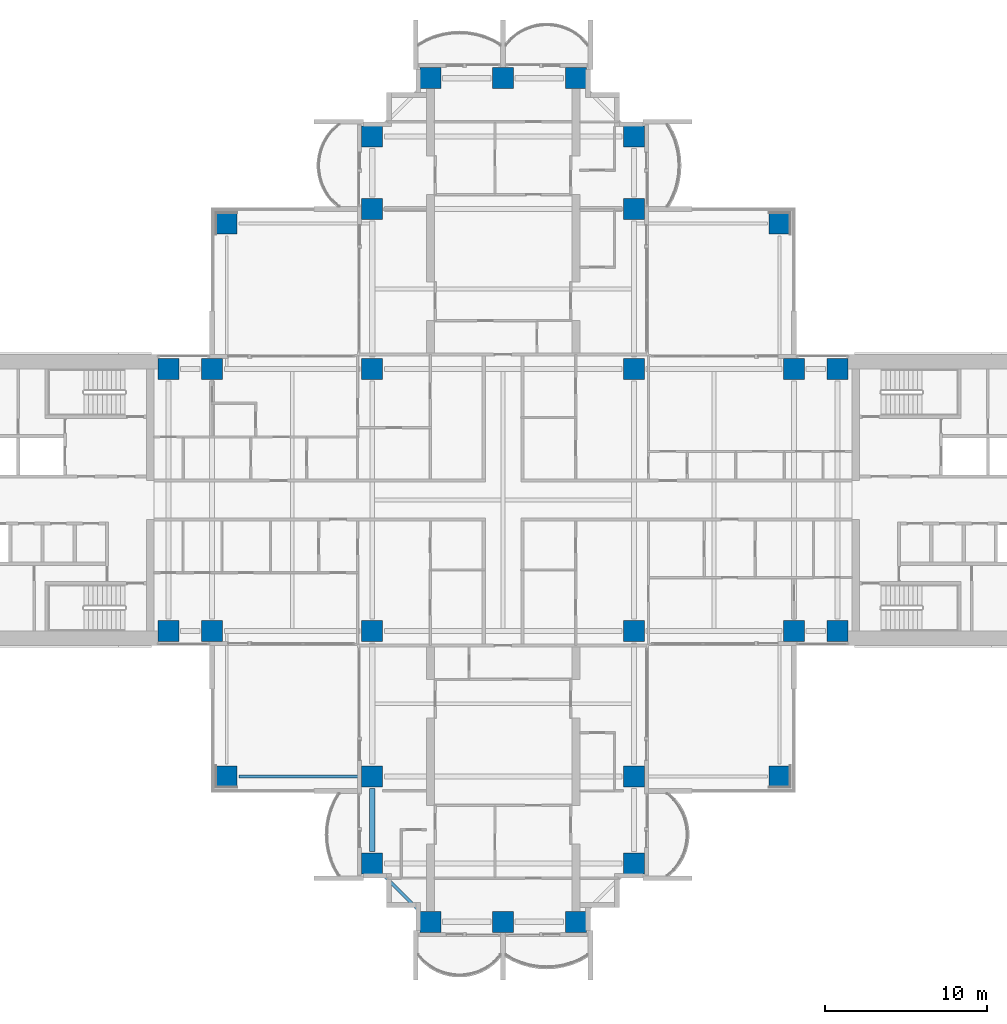
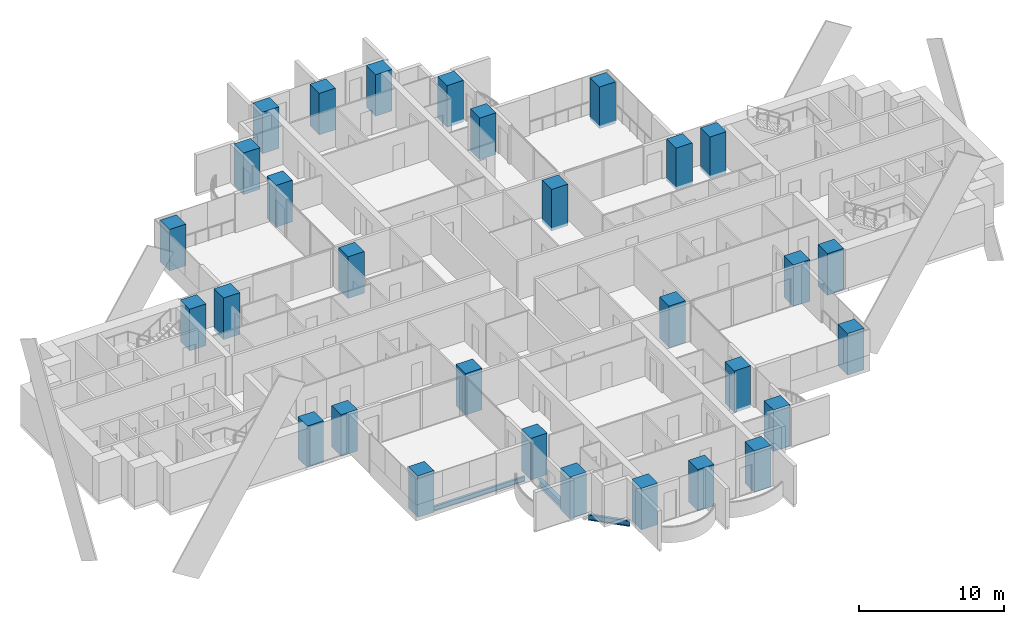
# One storey, part 1 of 23: 30 columns, 3 beams.
"""IFC4 building model written with IfcOpenShell, lengths in metres."""

from ifc_helpers import new_model, si_unit, direction, frame, origin, origin_2d, place, context, subcontext, project, spatial, rectangle, i_section, extrude, material, material_profile, profile_set, type_object, element, save


model = new_model("IFC4")

# Units and contexts
model_context = context("Model", 3, precision=1e-05, world=origin(), true_north=direction((0.0, 1.0)))
body_context = subcontext(model_context, "Body", "Model", "MODEL_VIEW")
ifc_project = project(units=[si_unit("LENGTHUNIT", "METRE"), si_unit("AREAUNIT", "SQUARE_METRE"), si_unit("VOLUMEUNIT", "CUBIC_METRE"), si_unit("PLANEANGLEUNIT", "RADIAN"), si_unit("MASSUNIT", "GRAM", prefix="KILO")], contexts=[model_context])

# Site, building, storey
site_placement = place(None, origin())
site = spatial("IfcSite", under=ifc_project, at=site_placement, CompositionType="ELEMENT")
building_placement = place(site_placement, origin())
building = spatial("IfcBuilding", under=site, at=building_placement, Name="Perihelion Cross Residences", CompositionType="ELEMENT")
storey_placement = place(building_placement, frame((0.0, 0.0, 36.5)))
storey = spatial("IfcBuildingStorey", under=building, at=storey_placement, Name="L05", CompositionType="ELEMENT", Elevation=36.5)

# Columns
ifc_material_1 = material(Name="Concrete C70/85", Category="concrete")
ifc_material_profile_1 = material_profile(ifc_material_1, rectangle(XDim=1.300048828125, YDim=1.300048828125, at=origin_2d()), Name="RC 1300x1300")
ifc_profile_set_1 = profile_set([ifc_material_profile_1], Name="Concrete C70/85")
column_type = type_object("IfcColumnType", Name="Reinforced concrete column 1300x1300 C70/85", PredefinedType="COLUMN", material=ifc_profile_set_1)
for number, where, z_axis, x_axis, name in (
    (1, (-20.699951171875, -8.10009765625, -0.25), (0.0, 0.0, 1.0), (1.0, 0.0, 0.0), "Column C017 L05 no. 1"),
    (2, (-20.699951171875, 8.10009765625, -0.25), (0.0, 0.0, 1.0), (1.0, 0.0, 0.0), "Column C010 L05 no. 1"),
    (3, (-18.0, -8.10009765625, -0.25), (0.0, 0.0, 1.0), (1.0, 0.0, 0.0), "Column C018 L05 no. 1"),
    (4, (-18.0, 8.10009765625, -0.25), (0.0, 0.0, 1.0), (1.0, 0.0, 0.0), "Column C011 L05 no. 1"),
    (5, (-8.10009765625, -22.5, -0.25), (0.0, 0.0, 1.0), (1.0, 0.0, 0.0), "Column C040 L05 no. 1"),
    (6, (-8.10009765625, -17.10009765625, -0.25), (0.0, 0.0, 1.0), (1.0, 0.0, 0.0), "Column C031 L05 no. 1"),
    (7, (-8.10009765625, -8.10009765625, -0.25), (0.0, 0.0, 1.0), (1.0, 0.0, 0.0), "Column C019 L05 no. 1"),
    (8, (-8.10009765625, 8.10009765625, -0.25), (0.0, 0.0, 1.0), (1.0, 0.0, 0.0), "Column C012 L05 no. 1"),
    (9, (-8.10009765625, 18.0, -0.25), (0.0, 0.0, 1.0), (1.0, 0.0, 0.0), "Column C006 L05 no. 1"),
    (10, (-8.10009765625, 22.5, -0.25), (0.0, 0.0, 1.0), (1.0, 0.0, 0.0), "Column C004 L05 no. 1"),
    (11, (-4.5, -26.10009765625, -0.25), (0.0, 0.0, 1.0), (1.0, 0.0, 0.0), "Column C042 L05 no. 1"),
    (12, (-4.5, 26.10009765625, -0.25), (0.0, 0.0, 1.0), (1.0, 0.0, 0.0), "Column C001 L05 no. 1"),
    (13, (0.0, -26.10009765625, -0.25), (0.0, 0.0, 1.0), (1.0, 0.0, 0.0), "Column C043 L05 no. 1"),
    (14, (0.0, 26.10009765625, -0.25), (0.0, 0.0, 1.0), (1.0, 0.0, 0.0), "Column C002 L05 no. 1"),
    (15, (4.5, -26.10009765625, -0.25), (0.0, 0.0, 1.0), (1.0, 0.0, 0.0), "Column C044 L05 no. 1"),
    (16, (4.5, 26.10009765625, -0.25), (0.0, 0.0, 1.0), (1.0, 0.0, 0.0), "Column C003 L05 no. 1"),
    (17, (8.10009765625, -22.5, -0.25), (0.0, 0.0, 1.0), (1.0, 0.0, 0.0), "Column C041 L05 no. 1"),
    (18, (8.10009765625, -17.10009765625, -0.25), (0.0, 0.0, 1.0), (1.0, 0.0, 0.0), "Column C035 L05 no. 1"),
    (19, (8.10009765625, -8.10009765625, -0.25), (0.0, 0.0, 1.0), (1.0, 0.0, 0.0), "Column C020 L05 no. 1"),
    (20, (8.10009765625, 8.10009765625, -0.25), (0.0, 0.0, 1.0), (1.0, 0.0, 0.0), "Column C014 L05 no. 1"),
    (21, (8.10009765625, 18.0, -0.25), (0.0, 0.0, 1.0), (1.0, 0.0, 0.0), "Column C007 L05 no. 1"),
    (22, (8.10009765625, 22.5, -0.25), (0.0, 0.0, 1.0), (1.0, 0.0, 0.0), "Column C005 L05 no. 1"),
    (23, (18.0, -8.10009765625, -0.25), (0.0, 0.0, 1.0), (1.0, 0.0, 0.0), "Column C021 L05 no. 1"),
    (24, (18.0, 8.10009765625, -0.25), (0.0, 0.0, 1.0), (1.0, 0.0, 0.0), "Column C015 L05 no. 1"),
    (25, (20.699951171875, -8.10009765625, -0.25), (0.0, 0.0, 1.0), (1.0, 0.0, 0.0), "Column C022 L05 no. 1"),
    (26, (20.699951171875, 8.10009765625, -0.25), (0.0, 0.0, 1.0), (1.0, 0.0, 0.0), "Column C016 L05 no. 1"),
    (27, (17.10009765625, 17.10009765625, -0.25), (0.0, 0.0, 1.0), (1.0, 0.0, 0.0), "Column C009 L05 no. 1"),
    (28, (-17.10009765625, 17.10009765625, -0.25), (0.0, 0.0, 1.0), (1.0, 0.0, 0.0), "Column C008 L05 no. 1"),
    (29, (-17.10009765625, -17.10009765625, -0.25), (0.0, 0.0, 1.0), (1.0, 0.0, 0.0), "Column C030 L05 no. 1"),
    (30, (17.10009765625, -17.10009765625, -0.25), (0.0, 0.0, 1.0), (1.0, 0.0, 0.0), "Column C036 L05 no. 1"),
):
    element("IfcColumn", number, at=place(storey_placement, frame(where, z_axis=z_axis, x_axis=x_axis)), inside=storey, type_object=column_type, Name=name, PredefinedType="COLUMN", context=body_context, shape_type="SweptSolid", body=[
        extrude(rectangle(XDim=1.300048828125, YDim=1.300048828125, at=origin_2d()), origin(), (0.0, 0.0, 1.0), 3.5),
    ])

# Beams
ifc_material_2 = material(Name="Steel S355", Category="steel")
ifc_material_profile_2 = material_profile(ifc_material_2, i_section(OverallWidth=0.177978515625, OverallDepth=0.406005859375, WebThickness=0.0078125, FlangeThickness=0.0126953125, at=origin_2d()), Name="W410x60")
ifc_profile_set_2 = profile_set([ifc_material_profile_2], Name="Steel S355")
beam_type_1 = type_object("IfcBeamType", Name="Core edge beam W410x60", PredefinedType="BEAM", material=ifc_profile_set_2)
beam_1_placement = place(storey_placement, frame((-8.85009765625, -17.10009765625, -0.452880859375), z_axis=(-1.0, 0.0, 0.0), x_axis=(0.0, -1.0, 0.0)))
element("IfcBeam", 31, at=beam_1_placement, inside=storey, type_object=beam_type_1, Name="Core edge beam TB2 L05 corner no. 2", PredefinedType="BEAM", context=body_context, shape_type="SweptSolid", body=[
    extrude(i_section(OverallWidth=0.177978515625, OverallDepth=0.406005859375, WebThickness=0.0078125, FlangeThickness=0.0126953125, at=origin_2d()), origin(), (0.0, 0.0, 1.0), 7.5),
])
ifc_material_3 = material(Name="Steel S355", Category="steel")
ifc_material_profile_3 = material_profile(ifc_material_3, i_section(OverallWidth=0.324951171875, OverallDepth=0.616943359375, WebThickness=0.013916015625, FlangeThickness=0.021484375, at=origin_2d()), Name="W610x174")
ifc_profile_set_3 = profile_set([ifc_material_profile_3], Name="Steel S355")
beam_type_2 = type_object("IfcBeamType", Name="Edge beam W610x174", PredefinedType="SPANDREL", material=ifc_profile_set_3)
beam_2_placement = place(storey_placement, frame((-8.10009765625, -17.85009765625, -0.55859375), z_axis=(0.0, -1.0, 0.0), x_axis=(1.0, 0.0, 0.0)))
element("IfcBeam", 32, at=beam_2_placement, inside=storey, type_object=beam_type_2, Name="Edge beam SB2 L05 no. 5", PredefinedType="SPANDREL", context=body_context, shape_type="SweptSolid", body=[
    extrude(i_section(OverallWidth=0.324951171875, OverallDepth=0.616943359375, WebThickness=0.013916015625, FlangeThickness=0.021484375, at=origin_2d()), origin(), (0.0, 0.0, 1.0), 3.89990234375),
])
ifc_material_4 = material(Name="Steel S355", Category="steel")
ifc_material_profile_4 = material_profile(ifc_material_4, i_section(OverallWidth=0.194091796875, OverallDepth=0.469970703125, WebThickness=0.0126953125, FlangeThickness=0.0205078125, at=origin_2d()), Name="W460x106")
ifc_profile_set_4 = profile_set([ifc_material_profile_4], Name="Steel S355")
beam_type_3 = type_object("IfcBeamType", Name="Serration edge beam W460x106", PredefinedType="BEAM", material=ifc_profile_set_4)
beam_3_placement = place(storey_placement, frame((-7.35009765625, -23.25, -0.485107421875), z_axis=(0.707106781187, -0.707106781187, 0.0), x_axis=(0.707106781187, 0.707106781187, 0.0)))
element("IfcBeam", 33, at=beam_3_placement, inside=storey, type_object=beam_type_3, Name="Serration edge beam EB2 L05 no. 2", PredefinedType="BEAM", context=body_context, shape_type="SweptSolid", body=[
    extrude(i_section(OverallWidth=0.194091796875, OverallDepth=0.469970703125, WebThickness=0.0126953125, FlangeThickness=0.0205078125, at=origin_2d()), origin(), (0.0, 0.0, 1.0), 2.969970703125),
])

save(model, "model.ifc")
